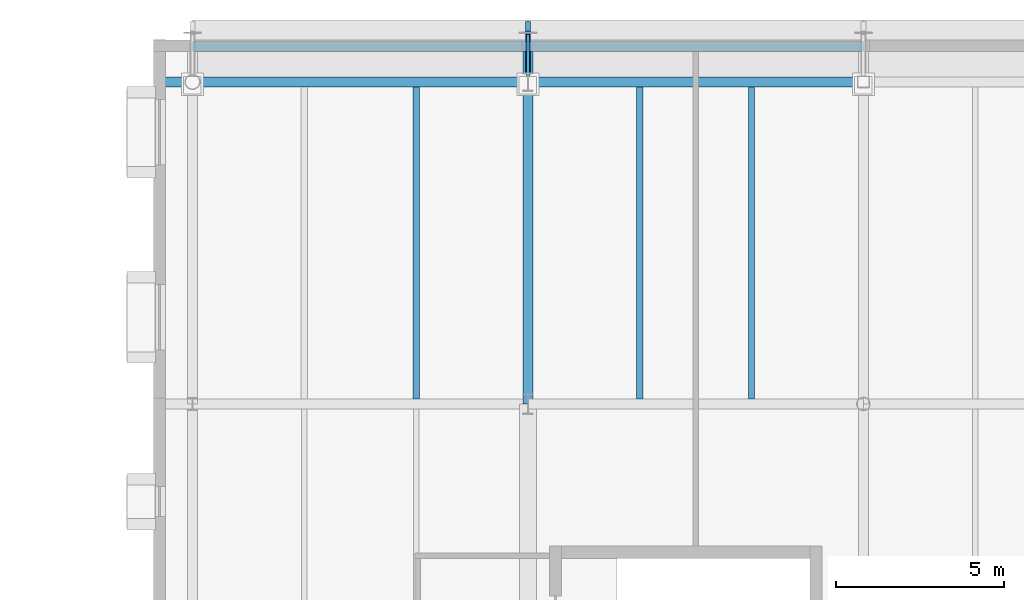
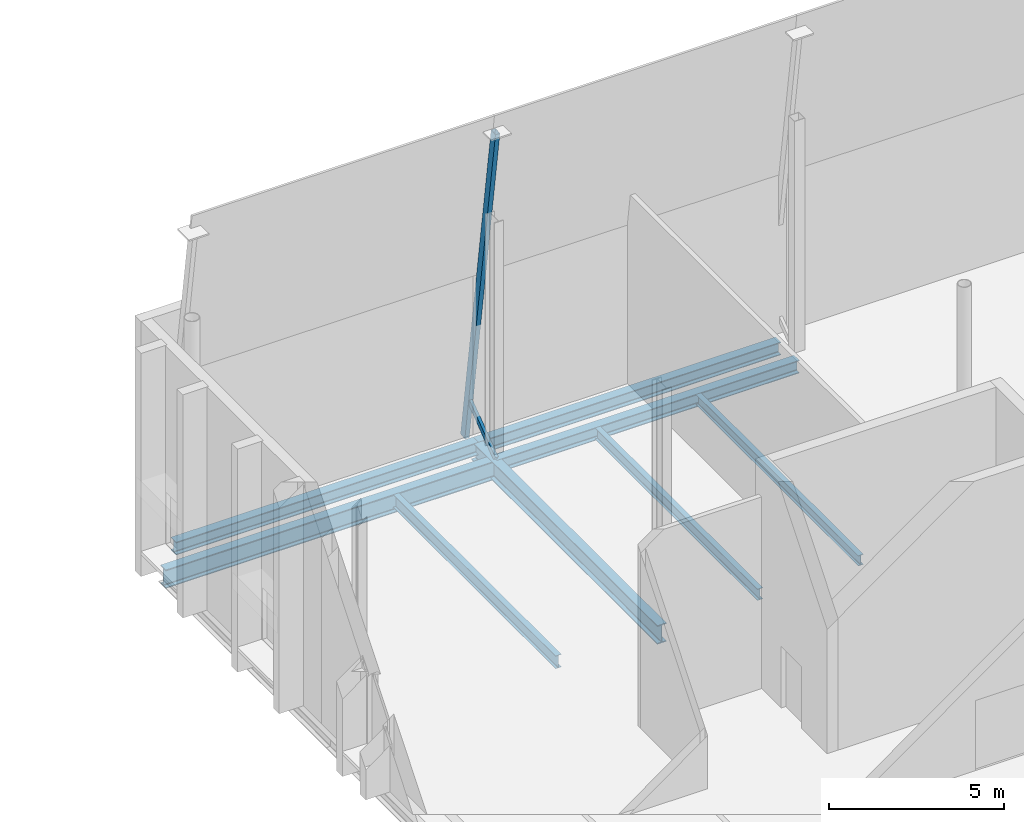
# One storey, part 33 of 79: 8 beams, 2 members.
"""IFC4 building model written with IfcOpenShell, lengths in metres."""

from ifc_helpers import new_model, si_unit, direction, frame, origin, origin_2d, place, context, subcontext, project, spatial, hollow_rectangle, i_section, extrude, material, material_profile, profile_set, type_object, element, save


model = new_model("IFC4")

# Units and contexts
model_context = context("Model", 3, precision=1e-05, world=origin(), true_north=direction((0.0, 1.0)))
body_context = subcontext(model_context, "Body", "Model", "MODEL_VIEW")
ifc_project = project(units=[si_unit("LENGTHUNIT", "METRE"), si_unit("AREAUNIT", "SQUARE_METRE"), si_unit("VOLUMEUNIT", "CUBIC_METRE"), si_unit("PLANEANGLEUNIT", "RADIAN"), si_unit("MASSUNIT", "GRAM", prefix="KILO")], contexts=[model_context])

# Site, building, storey
site_placement = place(None, origin())
site = spatial("IfcSite", under=ifc_project, at=site_placement, CompositionType="ELEMENT")
building_placement = place(site_placement, origin())
building = spatial("IfcBuilding", under=site, at=building_placement, Name="Zereglee Splitstone Museum", CompositionType="ELEMENT")
storey_placement = place(building_placement, frame((0.0, 0.0, 9.0)))
storey = spatial("IfcBuildingStorey", under=building, at=storey_placement, Name="L02", CompositionType="ELEMENT", Elevation=9.0)

# Beams
ifc_material_1 = material(Name="Steel S355J2", Category="steel")
ifc_material_profile_1 = material_profile(ifc_material_1, i_section(OverallWidth=0.300048828125, OverallDepth=0.64990234375, WebThickness=0.01611328125, FlangeThickness=0.031005859375, FilletRadius=0.027099609375, at=origin_2d()), Name="HE 650 B")
ifc_profile_set_1 = profile_set([ifc_material_profile_1], Name="Steel S355J2")
beam_type_1 = type_object("IfcBeamType", Name="BG-09", PredefinedType="BEAM", material=ifc_profile_set_1)
beam_1_placement = place(storey_placement, frame((174.25, 60.0, -0.64501953125), z_axis=(1.0, 0.0, 0.0), x_axis=(0.0, 1.0, 0.0)))
element("IfcBeam", 1, at=beam_1_placement, inside=storey, type_object=beam_type_1, Name="Primary Girder L02 G (174.2-185.2)", PredefinedType="BEAM", context=body_context, shape_type="SweptSolid", body=[
    extrude(i_section(OverallWidth=0.300048828125, OverallDepth=0.64990234375, WebThickness=0.01611328125, FlangeThickness=0.031005859375, FilletRadius=0.027099609375, at=origin_2d()), origin(), (0.0, 0.0, 1.0), 10.949951171875),
])
beam_2_placement = place(storey_placement, frame((185.199951171875, 50.39990234375, -0.64501953125), z_axis=(0.0, 1.0, 0.0), x_axis=(-1.0, 0.0, 0.0)))
element("IfcBeam", 2, at=beam_2_placement, inside=storey, type_object=beam_type_1, Name="Primary Girder L02 21 (50.4-61.0)", PredefinedType="BEAM", context=body_context, shape_type="SweptSolid", body=[
    extrude(i_section(OverallWidth=0.300048828125, OverallDepth=0.64990234375, WebThickness=0.01611328125, FlangeThickness=0.031005859375, FilletRadius=0.027099609375, at=origin_2d()), origin(), (0.0, 0.0, 1.0), 10.650146484375),
])
ifc_material_profile_2 = material_profile(ifc_material_1, i_section(OverallWidth=0.169921875, OverallDepth=0.360107421875, WebThickness=0.008056640625, FlangeThickness=0.0126953125, FilletRadius=0.01806640625, at=origin_2d()), Name="IPE 360")
ifc_profile_set_2 = profile_set([ifc_material_profile_2], Name="Steel S355J2")
beam_type_2 = type_object("IfcBeamType", Name="BJ-04", PredefinedType="JOIST", material=ifc_profile_set_2)
beam_3_placement = place(storey_placement, frame((191.86669921875, 50.550048828125, -0.5), z_axis=(0.0, 1.0, 0.0), x_axis=(-1.0, 0.0, 0.0)))
element("IfcBeam", 3, at=beam_3_placement, inside=storey, type_object=beam_type_2, Name="Secondary Floor Joist L02-1137", PredefinedType="JOIST", context=body_context, shape_type="SweptSolid", body=[
    extrude(i_section(OverallWidth=0.169921875, OverallDepth=0.360107421875, WebThickness=0.008056640625, FlangeThickness=0.0126953125, FilletRadius=0.01806640625, at=origin_2d()), origin(), (0.0, 0.0, 1.0), 9.300048828125),
])
ifc_material_profile_3 = material_profile(ifc_material_1, i_section(OverallWidth=0.179931640625, OverallDepth=0.39990234375, WebThickness=0.008544921875, FlangeThickness=0.013427734375, FilletRadius=0.02099609375, at=origin_2d()), Name="IPE 400")
ifc_profile_set_3 = profile_set([ifc_material_profile_3], Name="Steel S355J2")
beam_type_3 = type_object("IfcBeamType", Name="BJ-03", PredefinedType="JOIST", material=ifc_profile_set_3)
beam_4_placement = place(storey_placement, frame((188.533203125, 50.550048828125, -0.52001953125), z_axis=(0.0, 1.0, 0.0), x_axis=(-1.0, 0.0, 0.0)))
element("IfcBeam", 4, at=beam_4_placement, inside=storey, type_object=beam_type_3, Name="Secondary Floor Joist L02-1136", PredefinedType="JOIST", context=body_context, shape_type="SweptSolid", body=[
    extrude(i_section(OverallWidth=0.179931640625, OverallDepth=0.39990234375, WebThickness=0.008544921875, FlangeThickness=0.013427734375, FilletRadius=0.02099609375, at=origin_2d()), origin(), (0.0, 0.0, 1.0), 9.300048828125),
])
ifc_material_profile_4 = material_profile(ifc_material_1, i_section(OverallWidth=0.18994140625, OverallDepth=0.449951171875, WebThickness=0.009521484375, FlangeThickness=0.0146484375, FilletRadius=0.02099609375, at=origin_2d()), Name="IPE 450")
ifc_profile_set_4 = profile_set([ifc_material_profile_4], Name="Steel S355J2")
beam_type_4 = type_object("IfcBeamType", Name="BJ-02", PredefinedType="JOIST", material=ifc_profile_set_4)
beam_5_placement = place(storey_placement, frame((181.86669921875, 50.550048828125, -0.544921875), z_axis=(0.0, 1.0, 0.0), x_axis=(-1.0, 0.0, 0.0)))
element("IfcBeam", 5, at=beam_5_placement, inside=storey, type_object=beam_type_4, Name="Secondary Floor Joist L02-1135", PredefinedType="JOIST", context=body_context, shape_type="SweptSolid", body=[
    extrude(i_section(OverallWidth=0.18994140625, OverallDepth=0.449951171875, WebThickness=0.009521484375, FlangeThickness=0.0146484375, FilletRadius=0.02099609375, at=origin_2d()), origin(), (0.0, 0.0, 1.0), 9.300048828125),
])
ifc_material_profile_5 = material_profile(ifc_material_1, i_section(OverallWidth=0.300048828125, OverallDepth=0.449951171875, WebThickness=0.013916015625, FlangeThickness=0.02587890625, FilletRadius=0.027099609375, at=origin_2d()), Name="HE 450 B")
ifc_profile_set_5 = profile_set([ifc_material_profile_5], Name="Steel S355J2")
beam_type_5 = type_object("IfcBeamType", Name="SP-02", PredefinedType="SPANDREL", material=ifc_profile_set_5)
for number, where, z_axis, x_axis, name in (
    (6, (185.199951171875, 60.0, -0.544921875), (1.0, 0.0, 0.0), (0.0, 1.0, 0.0), "Primary Girder L02 G (185.2-195.2)"),
    (7, (175.199951171875, 61.050048828125, -0.544921875), (1.0, 0.0, 0.0), (0.0, 1.0, 0.0), "Hovering Soffit Spandrel L02 (175.2-185.2)"),
    (8, (185.199951171875, 61.050048828125, -0.544921875), (1.0, 0.0, 0.0), (0.0, 1.0, 0.0), "Hovering Soffit Spandrel L02 (185.2-195.2)"),
):
    element("IfcBeam", number, at=place(storey_placement, frame(where, z_axis=z_axis, x_axis=x_axis)), inside=storey, type_object=beam_type_5, Name=name, PredefinedType="SPANDREL", context=body_context, shape_type="SweptSolid", body=[
        extrude(i_section(OverallWidth=0.300048828125, OverallDepth=0.449951171875, WebThickness=0.013916015625, FlangeThickness=0.02587890625, FilletRadius=0.027099609375, at=origin_2d()), origin(), (0.0, 0.0, 1.0), 10.0),
    ])

# Members
ifc_material_2 = material(Name="Steel S355J2H", Category="steel")
ifc_material_profile_6 = material_profile(ifc_material_2, hollow_rectangle(XDim=0.14990234375, YDim=0.25, WallThickness=0.010009765625, at=origin_2d()), Name="RHS 250x150x10")
ifc_profile_set_6 = profile_set([ifc_material_profile_6], Name="Steel S355J2H")
member_type_1 = type_object("IfcMemberType", Name="FS-R2", PredefinedType="STRUT", material=ifc_profile_set_6)
member_1_placement = place(storey_placement, frame((185.199951171875, 61.68310546875, -0.570068359375), z_axis=(0.0, -0.148351552921, 0.988934687806), x_axis=(1.0, 0.0, 0.0)))
element("IfcMember", 9, at=member_1_placement, inside=storey, type_object=member_type_1, Name="Split-Rock Continuous Facet Strut FH-V4N L02-02", PredefinedType="STRUT", context=body_context, shape_type="SweptSolid", body=[
    extrude(hollow_rectangle(XDim=0.14990234375, YDim=0.25, WallThickness=0.010009765625, at=origin_2d()), origin(), (0.0, 0.0, 1.0), 11.830810546875),
])
ifc_material_profile_7 = material_profile(ifc_material_2, hollow_rectangle(XDim=0.10009765625, YDim=0.179931640625, WallThickness=0.008056640625, at=origin_2d()), Name="RHS 180x100x8")
ifc_profile_set_7 = profile_set([ifc_material_profile_7], Name="Steel S355J2H")
member_type_2 = type_object("IfcMemberType", Name="FS-T2", PredefinedType="STRUT", material=ifc_profile_set_7)
member_2_placement = place(storey_placement, frame((185.199951171875, 59.89990234375, -0.280029296875), z_axis=(0.0, 0.803519458835, 0.595278488839), x_axis=(-1.0, 0.0, 0.0)))
element("IfcMember", 10, at=member_2_placement, inside=storey, type_object=member_type_2, Name="Facet Tie-Back Strut FH-V4N L02-02", PredefinedType="STRUT", context=body_context, shape_type="SweptSolid", body=[
    extrude(hollow_rectangle(XDim=0.10009765625, YDim=0.179931640625, WallThickness=0.008056640625, at=origin_2d()), origin(), (0.0, 0.0, 1.0), 1.948486328125),
])

save(model, "model.ifc")
